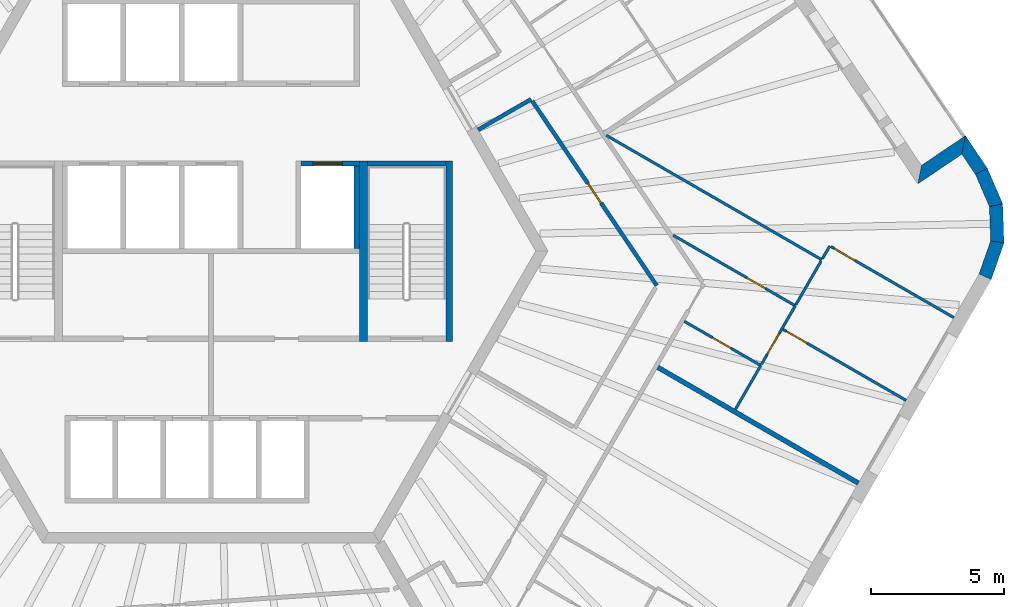
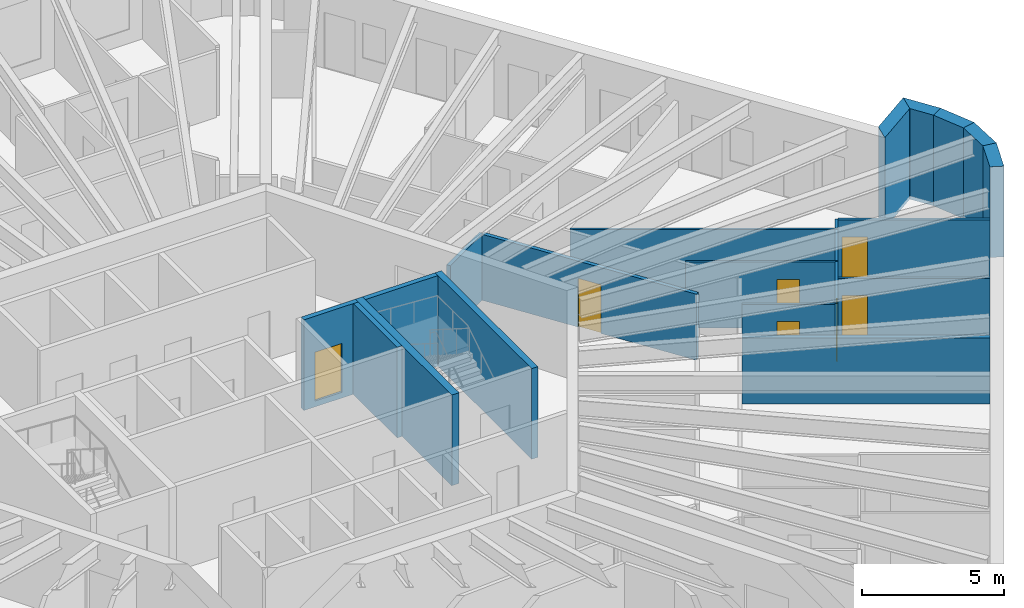
# One storey, part 7 of 12: 22 walls, 7 doors, 7 openings.
"""IFC4 building model written with IfcOpenShell, lengths in metres."""

from ifc_helpers import new_model, si_unit, direction, frame, frame_2d, origin, place, context, subcontext, project, spatial, polyline, rectangle, outline, extrude, material, layer, layer_set, type_object, element, fill, save


model = new_model("IFC4")

# Units and contexts
model_context = context("Model", 3, precision=1e-05, world=origin(), true_north=direction((0.0, 1.0)))
body_context = subcontext(model_context, "Body", "Model", "MODEL_VIEW")
ifc_project = project(units=[si_unit("LENGTHUNIT", "METRE"), si_unit("AREAUNIT", "SQUARE_METRE"), si_unit("VOLUMEUNIT", "CUBIC_METRE"), si_unit("PLANEANGLEUNIT", "RADIAN"), si_unit("MASSUNIT", "GRAM", prefix="KILO")], contexts=[model_context])

# Site, building, storey
site_placement = place(None, origin())
site = spatial("IfcSite", under=ifc_project, at=site_placement, CompositionType="ELEMENT")
building_placement = place(site_placement, origin())
building = spatial("IfcBuilding", under=site, at=building_placement, Name="Tarnside Tower", CompositionType="ELEMENT")
storey_placement = place(building_placement, frame((0.0, 0.0, 330.300048828125)))
storey = spatial("IfcBuildingStorey", under=building, at=storey_placement, Name="L80", CompositionType="ELEMENT", Elevation=330.300048828125)

# Wall
ifc_material_1 = material(Name="Gypsum board partition on steel studs", Category="steel")
ifc_layer_1 = layer(ifc_material_1, 0.10009765625)
ifc_layer_set_1 = layer_set([ifc_layer_1], Name="Bathroom wall 100")
wall_type_1 = type_object("IfcWallType", Name="Bathroom wall 100", PredefinedType="PARTITIONING", material=ifc_layer_set_1)
wall_1_placement = place(storey_placement, frame((14.896484375, 4.36083984375, 0.0), z_axis=(0.0, 0.0, 1.0), x_axis=(0.866020874699, -0.500007844523, 0.0)))
element("IfcWall", 1, at=wall_1_placement, inside=storey, type_object=wall_type_1, Name="Bathroom wall 26150", PredefinedType="PARTITIONING", context=body_context, shape_type="SweptSolid", body=[
    extrude(rectangle(XDim=9.379638671875, YDim=0.10009765625, at=frame_2d((4.68994140625, 0.0))), origin(), (0.0, 0.0, 1.0), 2.837646484375),
])

# Wall, opening, door
wall_2_placement = place(storey_placement, frame((17.840087890625, -2.650146484375, 0.0), z_axis=(0.0, 0.0, 1.0), x_axis=(0.866002163101, -0.500040251884, 0.0)))
wall_2 = element("IfcWall", 2, at=wall_2_placement, inside=storey, type_object=wall_type_1, Name="Bathroom wall 26153", PredefinedType="PARTITIONING", context=body_context, shape_type="SweptSolid", body=[
    extrude(rectangle(XDim=3.324951171875, YDim=0.10009765625, at=frame_2d((1.66259765625, 0.0))), origin(), (0.0, 0.0, 1.0), 2.837646484375),
])
opening_1_placement = place(wall_2_placement, frame((1.22509765625, 0.0, 0.0)))
opening_1 = element("IfcOpeningElement", 3, at=opening_1_placement, cuts=wall_2, Name="Opening D-B1", PredefinedType="OPENING", context=body_context, shape_type="SweptSolid", body=[
    extrude(rectangle(XDim=0.800048828125, YDim=2.10009765625, at=frame_2d((0.39990234375, 1.050048828125))), frame((0.0, 0.06005859375, 0.0), z_axis=(0.0, -1.0, 0.0), x_axis=(1.0, 0.0, 0.0)), (0.0, 0.0, 1.0), 0.1201171875),
])
ifc_material_2 = material(Name="Timber door leaf", Category="wood")
door_type_1 = type_object("IfcDoorType", Name="Bathroom door 800", OperationType="NOTDEFINED", PredefinedType="DOOR", material=ifc_material_2)
door_1_placement = place(opening_1_placement, origin())
door_1 = element("IfcDoor", 4, at=door_1_placement, inside=storey, type_object=door_type_1, Name="Bathroom door 26052", OperationType="SINGLE_SWING_RIGHT", OverallHeight=2.10009765625, OverallWidth=0.800048828125, PredefinedType="DOOR", context=body_context, shape_type="SweptSolid", body=[
    extrude(rectangle(XDim=0.800048828125, YDim=2.10009765625, at=frame_2d((0.39990234375, 1.050048828125))), frame((0.0, 0.02490234375, 0.0), z_axis=(0.0, -1.0, 0.0), x_axis=(1.0, 0.0, 0.0)), (0.0, 0.0, 1.0), 0.050048828125),
])
fill(opening_1, door_1)

wall_3_placement = place(storey_placement, frame((22.01953125, -2.06103515625, 0.0), z_axis=(0.0, 0.0, 1.0), x_axis=(-0.866041630335, 0.499971893737, 0.0)))
wall_3 = element("IfcWall", 5, at=wall_3_placement, inside=storey, type_object=wall_type_1, Name="Bathroom wall 26156", PredefinedType="PARTITIONING", context=body_context, shape_type="SweptSolid", body=[
    extrude(rectangle(XDim=5.309326171875, YDim=0.10009765625, at=frame_2d((2.65478515625, 0.0))), origin(), (0.0, 0.0, 1.0), 2.837646484375),
])
opening_2_placement = place(wall_3_placement, frame((1.300048828125, 0.0, 0.0)))
opening_2 = element("IfcOpeningElement", 6, at=opening_2_placement, cuts=wall_3, Name="Opening D-B1", PredefinedType="OPENING", context=body_context, shape_type="SweptSolid", body=[
    extrude(rectangle(XDim=0.800048828125, YDim=2.10009765625, at=frame_2d((0.39990234375, 1.050048828125))), frame((0.0, 0.06005859375, 0.0), z_axis=(0.0, -1.0, 0.0), x_axis=(1.0, 0.0, 0.0)), (0.0, 0.0, 1.0), 0.1201171875),
])
door_2_placement = place(opening_2_placement, origin())
door_2 = element("IfcDoor", 7, at=door_2_placement, inside=storey, type_object=door_type_1, Name="Bathroom door 26060", OperationType="SINGLE_SWING_RIGHT", OverallHeight=2.10009765625, OverallWidth=0.800048828125, PredefinedType="DOOR", context=body_context, shape_type="SweptSolid", body=[
    extrude(rectangle(XDim=0.800048828125, YDim=2.10009765625, at=frame_2d((0.39990234375, 1.050048828125))), frame((0.0, 0.02490234375, 0.0), z_axis=(0.0, -1.0, 0.0), x_axis=(1.0, 0.0, 0.0)), (0.0, 0.0, 1.0), 0.050048828125),
])
fill(opening_2, door_2)

# Walls
wall_4_placement = place(storey_placement, frame((19.764404296875, -5.966796875, 0.0), z_axis=(0.0, 0.0, 1.0), x_axis=(0.500039310002, 0.866002706955, 0.0)))
element("IfcWall", 8, at=wall_4_placement, inside=storey, type_object=wall_type_1, Name="Bathroom wall 26157", PredefinedType="PARTITIONING", context=body_context, shape_type="SweptSolid", body=[
    extrude(rectangle(XDim=1.911865234375, YDim=0.10009765625, at=frame_2d((0.9560546875, 0.0))), origin(), (0.0, 0.0, 1.0), 2.837646484375),
])
wall_5_placement = place(storey_placement, frame((22.99462890625, -0.372314453125, 0.0), z_axis=(0.0, 0.0, 1.0), x_axis=(-0.500063520245, -0.865988727248, 0.0)))
element("IfcWall", 9, at=wall_5_placement, inside=storey, type_object=wall_type_1, Name="Bathroom wall 26159", PredefinedType="PARTITIONING", context=body_context, shape_type="SweptSolid", body=[
    extrude(rectangle(XDim=1.900146484375, YDim=0.10009765625, at=frame_2d((0.9501953125, 0.0))), origin(), (0.0, 0.0, 1.0), 2.837646484375),
])
ifc_layer_2 = layer(ifc_material_1, 0.14990234375)
ifc_layer_set_2 = layer_set([ifc_layer_2], Name="Corridor wall 150 EI 60")
wall_type_2 = type_object("IfcWallType", Name="Corridor wall 150 EI 60", PredefinedType="PARTITIONING", material=ifc_layer_set_2)
wall_6_placement = place(storey_placement, frame((10.065673828125, 4.565673828125, 0.0), z_axis=(0.0, 0.0, 1.0), x_axis=(0.866034075723, 0.499984979461, 0.0)))
element("IfcWall", 10, at=wall_6_placement, inside=storey, type_object=wall_type_2, Name="Corridor wall 26077", PredefinedType="PARTITIONING", context=body_context, shape_type="SweptSolid", body=[
    extrude(rectangle(XDim=2.3076171875, YDim=0.14990234375, at=frame_2d((1.15380859375, 0.0))), origin(), (0.0, 0.0, 1.0), 2.837646484375),
])

# Wall, opening, door
wall_7_placement = place(storey_placement, frame((12.106201171875, 5.6572265625, 0.0), z_axis=(0.0, 0.0, 1.0), x_axis=(0.559202573837, -0.829031049728, 0.0)))
wall_7 = element("IfcWall", 11, at=wall_7_placement, inside=storey, type_object=wall_type_2, Name="Corridor wall 26078", PredefinedType="PARTITIONING", context=body_context, shape_type="SweptSolid", body=[
    extrude(rectangle(XDim=8.393798828125, YDim=0.14990234375, at=frame_2d((4.19677734375, 0.0))), origin(), (0.0, 0.0, 1.0), 2.837646484375),
])
opening_3_placement = place(wall_7_placement, frame((3.746826171875, 0.0, 0.0)))
opening_3 = element("IfcOpeningElement", 12, at=opening_3_placement, cuts=wall_7, Name="Opening D-S1", PredefinedType="OPENING", context=body_context, shape_type="SweptSolid", body=[
    extrude(rectangle(XDim=0.89990234375, YDim=2.10009765625, at=frame_2d((0.449951171875, 1.050048828125))), frame((0.0, 0.0849609375, 0.0), z_axis=(0.0, -1.0, 0.0), x_axis=(1.0, 0.0, 0.0)), (0.0, 0.0, 1.0), 0.169921875),
])
door_type_2 = type_object("IfcDoorType", Name="Service room door 900 FD30S", OperationType="NOTDEFINED", PredefinedType="DOOR", material=ifc_material_2)
door_3_placement = place(opening_3_placement, origin())
door_3 = element("IfcDoor", 13, at=door_3_placement, inside=storey, type_object=door_type_2, Name="Service door 26076", OperationType="SINGLE_SWING_RIGHT", OverallHeight=2.10009765625, OverallWidth=0.89990234375, PredefinedType="DOOR", context=body_context, shape_type="SweptSolid", body=[
    extrude(rectangle(XDim=0.89990234375, YDim=2.10009765625, at=frame_2d((0.449951171875, 1.050048828125))), frame((0.0, 0.02490234375, 0.0), z_axis=(0.0, -1.0, 0.0), x_axis=(1.0, 0.0, 0.0)), (0.0, 0.0, 1.0), 0.050048828125),
])
fill(opening_3, door_3)

# Wall
ifc_layer_3 = layer(ifc_material_1, 0.179931640625)
ifc_layer_set_3 = layer_set([ifc_layer_3], Name="Demising wall 180 EI 60")
wall_type_3 = type_object("IfcWallType", Name="Demising wall 180 EI 60", PredefinedType="PARTITIONING", material=ifc_layer_set_3)
wall_8_placement = place(storey_placement, frame((24.39599609375, -8.744873046875, 0.0), z_axis=(0.0, 0.0, 1.0), x_axis=(-0.866018297078, 0.500012308975, 0.0)))
element("IfcWall", 14, at=wall_8_placement, inside=storey, type_object=wall_type_3, Name="Demising wall 26139", PredefinedType="PARTITIONING", context=body_context, shape_type="SweptSolid", body=[
    extrude(rectangle(XDim=8.724853515625, YDim=0.179931640625, at=frame_2d((4.3623046875, 0.0))), origin(), (0.0, 0.0, 1.0), 2.837646484375),
])

# Wall, opening, door
ifc_material_3 = material(Name="Concrete C40/50", Category="concrete")
ifc_layer_4 = layer(ifc_material_3, 0.199951171875)
ifc_layer_set_4 = layer_set([ifc_layer_4], Name="Lift shaft wall 200 C40/50")
wall_type_4 = type_object("IfcWallType", Name="Lift shaft wall 200 C40/50", PredefinedType="SHEAR", material=ifc_layer_set_4)
wall_9_placement = place(storey_placement, frame((3.39990234375, 3.300048828125, -0.25), z_axis=(0.0, 0.0, 1.0), x_axis=(1.0, 0.0, 0.0)))
wall_9 = element("IfcWall", 15, at=wall_9_placement, inside=storey, type_object=wall_type_4, Name="L80 lift shaft front wall R2 2", PredefinedType="SHEAR", context=body_context, shape_type="SweptSolid", body=[
    extrude(rectangle(XDim=2.2001953125, YDim=0.199951171875, at=frame_2d((1.10009765625, 0.0))), origin(), (0.0, 0.0, 1.0), 3.89990234375),
])
opening_4_placement = place(wall_9_placement, frame((0.449951171875, 0.0, 0.25)))
opening_4 = element("IfcOpeningElement", 16, at=opening_4_placement, cuts=wall_9, Name="Opening LD", PredefinedType="OPENING", context=body_context, shape_type="SweptSolid", body=[
    extrude(rectangle(XDim=1.10009765625, YDim=2.10009765625, at=frame_2d((0.550048828125, 1.050048828125))), frame((0.0, 0.10986328125, 0.0), z_axis=(0.0, -1.0, 0.0), x_axis=(1.0, 0.0, 0.0)), (0.0, 0.0, 1.0), 0.219970703125),
])
ifc_material_4 = material(Name="Stainless steel", Category="steel")
door_type_3 = type_object("IfcDoorType", Name="Lift landing door 1100x2100", OperationType="NOTDEFINED", PredefinedType="DOOR", material=ifc_material_4)
door_4_placement = place(opening_4_placement, origin())
door_4 = element("IfcDoor", 17, at=door_4_placement, inside=storey, type_object=door_type_3, Name="Express sky-lobby shuttle 2 landing door L80", OperationType="SLIDING_TO_LEFT", OverallHeight=2.10009765625, OverallWidth=1.10009765625, PredefinedType="DOOR", context=body_context, shape_type="SweptSolid", body=[
    extrude(rectangle(XDim=1.10009765625, YDim=2.10009765625, at=frame_2d((0.550048828125, 1.050048828125))), frame((0.0, 0.02490234375, 0.0), z_axis=(0.0, -1.0, 0.0), x_axis=(1.0, 0.0, 0.0)), (0.0, 0.0, 1.0), 0.050048828125),
])
fill(opening_4, door_4)

# Walls
wall_10_placement = place(storey_placement, frame((5.5, 0.10009765625, -0.25), z_axis=(0.0, 0.0, 1.0), x_axis=(0.0, 1.0, 0.0)))
element("IfcWall", 18, at=wall_10_placement, inside=storey, type_object=wall_type_4, Name="L80 lift shaft partition R26", PredefinedType="SHEAR", context=body_context, shape_type="SweptSolid", body=[
    extrude(rectangle(XDim=3.099853515625, YDim=0.199951171875, at=frame_2d((1.5498046875, 0.0))), origin(), (0.0, 0.0, 1.0), 3.89990234375),
])
wall_11_placement = place(storey_placement, frame((5.89990234375, 3.300048828125, -0.25), z_axis=(0.0, 0.0, 1.0), x_axis=(1.0, 0.0, 0.0)))
element("IfcWall", 19, at=wall_11_placement, inside=storey, type_object=wall_type_4, Name="L80 stair 1 enclosure cap wall n", PredefinedType="SHEAR", context=body_context, shape_type="SweptSolid", body=[
    extrude(rectangle(XDim=2.9501953125, YDim=0.199951171875, at=frame_2d((1.47509765625, 0.0))), origin(), (0.0, 0.0, 1.0), 3.89990234375),
])
ifc_material_5 = material(Name="Dark zinc cladding")
ifc_layer_5 = layer(ifc_material_5, 0.10205078125)
ifc_material_6 = material(Name="Concrete C60/75 precast", Category="concrete")
ifc_layer_6 = layer(ifc_material_6, 0.298095703125)
ifc_material_7 = material(Name="Mineral wool insulation")
ifc_layer_7 = layer(ifc_material_7, 0.10009765625)
ifc_layer_set_5 = layer_set([ifc_layer_5, ifc_layer_6, ifc_layer_7], Name="Loggia wall 500 zinc faced")
wall_type_5 = type_object("IfcWallType", Name="Loggia wall 500 zinc faced", PredefinedType="SOLIDWALL", material=ifc_layer_set_5)
wall_12_placement = place(storey_placement, frame((29.034912109375, 3.00244140625, -0.150146484375), z_axis=(0.0, 0.0, 1.0), x_axis=(-0.559200218553, 0.829032638423, 0.0)))
element("IfcWall", 20, at=wall_12_placement, inside=storey, type_object=wall_type_5, Name="Tube wall L80 F6 stub 28", PredefinedType="SOLIDWALL", context=body_context, shape_type="SweptSolid", body=[
    extrude(outline(polyline([(-0.0234375, -0.25), (1.44970703125, -0.25), (0.94970703125, 0.25), (0.0234375, 0.25), (-0.0234375, -0.25)])), origin(), (0.0, 0.0, 1.0), 3.900146484375),
])
wall_13_placement = place(storey_placement, frame((28.364013671875, 3.9970703125, -0.150146484375), z_axis=(0.0, 0.0, 1.0), x_axis=(-0.829108975345, -0.5590870299, 0.0)))
element("IfcWall", 21, at=wall_13_placement, inside=storey, type_object=wall_type_5, Name="Tube wall L80 F6 return 29", PredefinedType="SOLIDWALL", context=body_context, shape_type="SweptSolid", body=[
    extrude(outline(polyline([(-0.25, -0.25), (1.75, -0.25), (2.25, 0.25), (0.25, 0.25), (-0.25, -0.25)])), origin(), (0.0, 0.0, 1.0), 3.900146484375),
])
ifc_layer_8 = layer(ifc_material_1, 0.10009765625)
ifc_layer_set_6 = layer_set([ifc_layer_8], Name="Partition 100")
wall_type_6 = type_object("IfcWallType", Name="Partition 100", PredefinedType="PARTITIONING", material=ifc_layer_set_6)
wall_14_placement = place(storey_placement, frame((23.04345703125, -0.287353515625, 0.0), z_axis=(0.0, 0.0, 1.0), x_axis=(0.500181810019, 0.865920410272, 0.0)))
element("IfcWall", 22, at=wall_14_placement, inside=storey, type_object=wall_type_6, Name="Partition wall 26148", PredefinedType="PARTITIONING", context=body_context, shape_type="SweptSolid", body=[
    extrude(rectangle(XDim=0.552001953125, YDim=0.10009765625, at=frame_2d((0.27587890625, 0.0))), origin(), (0.0, 0.0, 1.0), 2.837646484375),
])

# Wall, opening, door
wall_15_placement = place(storey_placement, frame((23.36279296875, 0.16552734375, 0.0), z_axis=(0.0, 0.0, 1.0), x_axis=(0.866024483152, -0.500001594578, 0.0)))
wall_15 = element("IfcWall", 23, at=wall_15_placement, inside=storey, type_object=wall_type_6, Name="Partition wall 26149", PredefinedType="PARTITIONING", context=body_context, shape_type="SweptSolid", body=[
    extrude(rectangle(XDim=5.35009765625, YDim=0.10009765625, at=frame_2d((2.675048828125, 0.0))), origin(), (0.0, 0.0, 1.0), 2.837646484375),
])
opening_5_placement = place(wall_15_placement, frame((0.14990234375, 0.0, 0.0)))
opening_5 = element("IfcOpeningElement", 24, at=opening_5_placement, cuts=wall_15, Name="Opening D-I1", PredefinedType="OPENING", context=body_context, shape_type="SweptSolid", body=[
    extrude(rectangle(XDim=0.89990234375, YDim=2.10009765625, at=frame_2d((0.449951171875, 1.050048828125))), frame((0.0, 0.06005859375, 0.0), z_axis=(0.0, -1.0, 0.0), x_axis=(1.0, 0.0, 0.0)), (0.0, 0.0, 1.0), 0.1201171875),
])
door_type_4 = type_object("IfcDoorType", Name="Internal door 900", OperationType="NOTDEFINED", PredefinedType="DOOR", material=ifc_material_2)
door_5_placement = place(opening_5_placement, origin())
door_5 = element("IfcDoor", 25, at=door_5_placement, inside=storey, type_object=door_type_4, Name="Internal door 26059", OperationType="SINGLE_SWING_RIGHT", OverallHeight=2.10009765625, OverallWidth=0.89990234375, PredefinedType="DOOR", context=body_context, shape_type="SweptSolid", body=[
    extrude(rectangle(XDim=0.89990234375, YDim=2.10009765625, at=frame_2d((0.449951171875, 1.050048828125))), frame((0.0, 0.02490234375, 0.0), z_axis=(0.0, -1.0, 0.0), x_axis=(1.0, 0.0, 0.0)), (0.0, 0.0, 1.0), 0.050048828125),
])
fill(opening_5, door_5)

wall_16_placement = place(storey_placement, frame((20.743408203125, -4.271240234375, 0.0), z_axis=(0.0, 0.0, 1.0), x_axis=(0.500014808323, 0.866016854026, 0.0)))
wall_16 = element("IfcWall", 26, at=wall_16_placement, inside=storey, type_object=wall_type_6, Name="Partition wall 26154", PredefinedType="PARTITIONING", context=body_context, shape_type="SweptSolid", body=[
    extrude(rectangle(XDim=2.55419921875, YDim=0.10009765625, at=frame_2d((1.277099609375, 0.0))), origin(), (0.0, 0.0, 1.0), 2.837646484375),
])
opening_6_placement = place(wall_16_placement, frame((0.451904296875, 0.0, 0.0)))
opening_6 = element("IfcOpeningElement", 27, at=opening_6_placement, cuts=wall_16, Name="Opening D-I1", PredefinedType="OPENING", context=body_context, shape_type="SweptSolid", body=[
    extrude(rectangle(XDim=0.89990234375, YDim=2.10009765625, at=frame_2d((0.449951171875, 1.050048828125))), frame((0.0, 0.06005859375, 0.0), z_axis=(0.0, -1.0, 0.0), x_axis=(1.0, 0.0, 0.0)), (0.0, 0.0, 1.0), 0.1201171875),
])
door_6_placement = place(opening_6_placement, origin())
door_6 = element("IfcDoor", 28, at=door_6_placement, inside=storey, type_object=door_type_4, Name="Internal door 26054", OperationType="SINGLE_SWING_LEFT", OverallHeight=2.10009765625, OverallWidth=0.89990234375, PredefinedType="DOOR", context=body_context, shape_type="SweptSolid", body=[
    extrude(rectangle(XDim=0.89990234375, YDim=2.10009765625, at=frame_2d((0.449951171875, 1.050048828125))), frame((0.0, 0.02490234375, 0.0), z_axis=(0.0, -1.0, 0.0), x_axis=(1.0, 0.0, 0.0)), (0.0, 0.0, 1.0), 0.050048828125),
])
fill(opening_6, door_6)

wall_17_placement = place(storey_placement, frame((26.196044921875, -5.627197265625, 0.0), z_axis=(0.0, 0.0, 1.0), x_axis=(-0.866024483152, 0.500001594578, 0.0)))
wall_17 = element("IfcWall", 29, at=wall_17_placement, inside=storey, type_object=wall_type_6, Name="Partition wall 26158", PredefinedType="PARTITIONING", context=body_context, shape_type="SweptSolid", body=[
    extrude(rectangle(XDim=5.35009765625, YDim=0.10009765625, at=frame_2d((2.675048828125, 0.0))), origin(), (0.0, 0.0, 1.0), 2.837646484375),
])
opening_7_placement = place(wall_17_placement, frame((4.300048828125, 0.0, 0.0)))
opening_7 = element("IfcOpeningElement", 30, at=opening_7_placement, cuts=wall_17, Name="Opening D-I1", PredefinedType="OPENING", context=body_context, shape_type="SweptSolid", body=[
    extrude(rectangle(XDim=0.89990234375, YDim=2.10009765625, at=frame_2d((0.449951171875, 1.050048828125))), frame((0.0, 0.06005859375, 0.0), z_axis=(0.0, -1.0, 0.0), x_axis=(1.0, 0.0, 0.0)), (0.0, 0.0, 1.0), 0.1201171875),
])
door_7_placement = place(opening_7_placement, origin())
door_7 = element("IfcDoor", 31, at=door_7_placement, inside=storey, type_object=door_type_4, Name="Internal door 26057", OperationType="SINGLE_SWING_RIGHT", OverallHeight=2.10009765625, OverallWidth=0.89990234375, PredefinedType="DOOR", context=body_context, shape_type="SweptSolid", body=[
    extrude(rectangle(XDim=0.89990234375, YDim=2.10009765625, at=frame_2d((0.449951171875, 1.050048828125))), frame((0.0, 0.02490234375, 0.0), z_axis=(0.0, -1.0, 0.0), x_axis=(1.0, 0.0, 0.0)), (0.0, 0.0, 1.0), 0.050048828125),
])
fill(opening_7, door_7)

# Walls
ifc_layer_9 = layer(ifc_material_3, 0.25)
ifc_layer_set_7 = layer_set([ifc_layer_9], Name="Stair enclosure wall 250 C40/50")
wall_type_7 = type_object("IfcWallType", Name="Stair enclosure wall 250 C40/50", PredefinedType="SHEAR", material=ifc_layer_set_7)
wall_18_placement = place(storey_placement, frame((8.97509765625, -3.39990234375, -0.25), z_axis=(0.0, 0.0, 1.0), x_axis=(0.0, 1.0, 0.0)))
element("IfcWall", 32, at=wall_18_placement, inside=storey, type_object=wall_type_7, Name="L80 stair 1 enclosure wall outer", PredefinedType="SHEAR", context=body_context, shape_type="SweptSolid", body=[
    extrude(rectangle(XDim=6.7998046875, YDim=0.25, at=frame_2d((3.39990234375, 0.0))), origin(), (0.0, 0.0, 1.0), 3.89990234375),
])
ifc_layer_10 = layer(ifc_material_3, 0.300048828125)
ifc_layer_set_8 = layer_set([ifc_layer_10], Name="Stair enclosure wall 300 C40/50")
wall_type_8 = type_object("IfcWallType", Name="Stair enclosure wall 300 C40/50", PredefinedType="SHEAR", material=ifc_layer_set_8)
wall_19_placement = place(storey_placement, frame((5.75, -3.39990234375, -0.25), z_axis=(0.0, 0.0, 1.0), x_axis=(0.0, 1.0, 0.0)))
element("IfcWall", 33, at=wall_19_placement, inside=storey, type_object=wall_type_8, Name="L80 stair 1 enclosure wall inner", PredefinedType="SHEAR", context=body_context, shape_type="SweptSolid", body=[
    extrude(rectangle(XDim=6.7998046875, YDim=0.300048828125, at=frame_2d((3.39990234375, 0.0))), origin(), (0.0, 0.0, 1.0), 3.89990234375),
])
ifc_material_8 = material(Name="Facing brick", Category="masonry")
ifc_layer_11 = layer(ifc_material_8, 0.10205078125)
ifc_layer_12 = layer(ifc_material_6, 0.298095703125)
ifc_layer_13 = layer(ifc_material_7, 0.10009765625)
ifc_layer_set_9 = layer_set([ifc_layer_11, ifc_layer_12, ifc_layer_13], Name="Tube wall 500 brick faced")
wall_type_9 = type_object("IfcWallType", Name="Tube wall 500 brick faced", PredefinedType="SOLIDWALL", material=ifc_layer_set_9)
wall_20_placement = place(storey_placement, frame((29.173828125, -0.9697265625, -0.150146484375), z_axis=(0.0, 0.0, 1.0), x_axis=(0.330961348063, 0.943644311215, 0.0)))
element("IfcWall", 34, at=wall_20_placement, inside=storey, type_object=wall_type_9, Name="Tube wall L80 F5 chord 25", PredefinedType="SOLIDWALL", context=body_context, shape_type="SweptSolid", body=[
    extrude(outline(polyline([(-0.0234375, -0.25), (1.435302734375, -0.25), (1.341064453125, 0.25), (0.0234375, 0.25), (-0.0234375, -0.25)])), origin(), (0.0, 0.0, 1.0), 3.900146484375),
])
wall_21_placement = place(storey_placement, frame((29.63330078125, 0.34033203125, -0.150146484375), z_axis=(0.0, 0.0, 1.0), x_axis=(-0.034825746769, 0.999393399699, 0.0)))
element("IfcWall", 35, at=wall_21_placement, inside=storey, type_object=wall_type_9, Name="Tube wall L80 F5 chord 26", PredefinedType="SOLIDWALL", context=body_context, shape_type="SweptSolid", body=[
    extrude(outline(polyline([(-0.047119140625, -0.25), (1.43505859375, -0.25), (1.3408203125, 0.25), (0.047119140625, 0.25), (-0.047119140625, -0.25)])), origin(), (0.0, 0.0, 1.0), 3.900146484375),
])
wall_22_placement = place(storey_placement, frame((29.5849609375, 1.7275390625, -0.150146484375), z_axis=(0.0, 0.0, 1.0), x_axis=(-0.396146339195, 0.918187387162, 0.0)))
element("IfcWall", 36, at=wall_22_placement, inside=storey, type_object=wall_type_9, Name="Tube wall L80 F5 chord 27", PredefinedType="SOLIDWALL", context=body_context, shape_type="SweptSolid", body=[
    extrude(outline(polyline([(-0.047119140625, -0.25), (1.411865234375, -0.25), (1.364990234375, 0.25), (0.047119140625, 0.25), (-0.047119140625, -0.25)])), origin(), (0.0, 0.0, 1.0), 3.900146484375),
])

save(model, "model.ifc")
